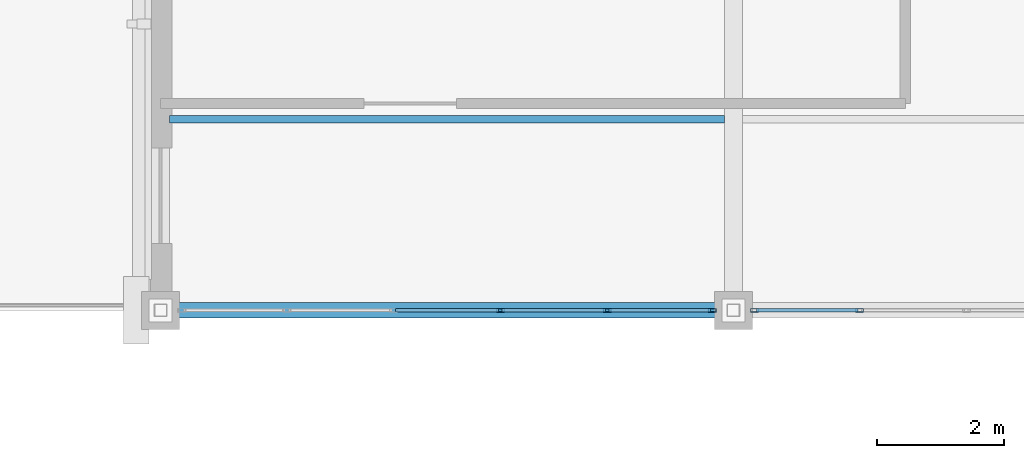
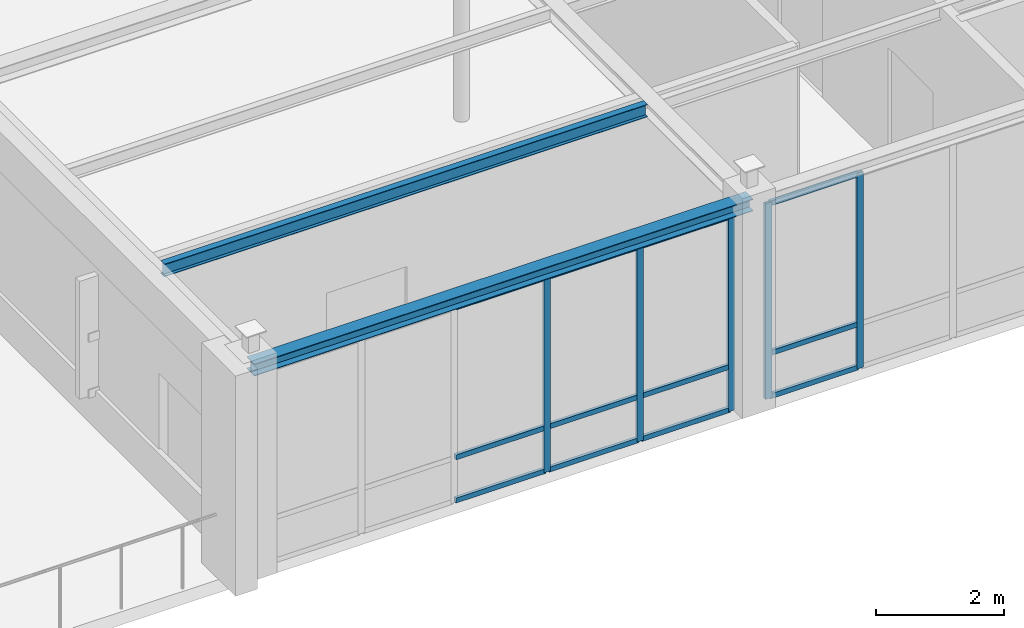
# One storey, part 60 of 97: 17 members, 2 beams, 2 elements without a shape of their own.
"""IFC4 building model written with IfcOpenShell, lengths in metres."""

from ifc_helpers import new_model, si_unit, direction, frame, origin, origin_2d, place, context, subcontext, project, spatial, hollow_rectangle, i_section, extrude, material, material_profile, profile_set, type_object, element, aggregate, save


model = new_model("IFC4")

# Units and contexts
model_context = context("Model", 3, precision=1e-05, world=origin(), true_north=direction((0.0, 1.0)))
body_context = subcontext(model_context, "Body", "Model", "MODEL_VIEW")
ifc_project = project(units=[si_unit("LENGTHUNIT", "METRE"), si_unit("AREAUNIT", "SQUARE_METRE"), si_unit("VOLUMEUNIT", "CUBIC_METRE"), si_unit("PLANEANGLEUNIT", "RADIAN"), si_unit("MASSUNIT", "GRAM", prefix="KILO")], contexts=[model_context])

# Site, building, storey
site_placement = place(None, origin())
site = spatial("IfcSite", under=ifc_project, at=site_placement, CompositionType="ELEMENT")
building_placement = place(site_placement, origin())
building = spatial("IfcBuilding", under=site, at=building_placement, Name="Lykobir Media Centre", CompositionType="ELEMENT")
storey_placement = place(building_placement, frame((0.0, 0.0, 23.39990234375)))
storey = spatial("IfcBuildingStorey", under=building, at=storey_placement, Name="L05", CompositionType="ELEMENT", Elevation=23.39990234375)

# Curtain wall, members
ifc_material_1 = material(Name="Anodized Aluminium AW-6060", Category="aluminium")
curtain_wall_type = type_object("IfcCurtainWallType", Name="CW-COURT-B", PredefinedType="NOTDEFINED", material=ifc_material_1)
curtain_wall_1_placement = place(storey_placement, origin())
curtain_wall_1 = element("IfcCurtainWall", 1, at=curtain_wall_1_placement, inside=storey, type_object=curtain_wall_type, Name="Curtain wall CW2-L05-0204", PredefinedType="NOTDEFINED")
ifc_material_profile_1 = material_profile(ifc_material_1, hollow_rectangle(XDim=0.054931640625, YDim=0.1201171875, WallThickness=0.003173828125, at=origin_2d()), Name="ALU MULLION 55x120")
ifc_profile_set_1 = profile_set([ifc_material_profile_1], Name="Anodized Aluminium AW-6060")
member_type_1 = type_object("IfcMemberType", Name="CWM-120", PredefinedType="MULLION", material=ifc_profile_set_1)
member_1_placement = place(storey_placement, frame((116.66748046875, 72.0, 0.0), z_axis=(0.0, 0.0, 1.0), x_axis=(0.0, -1.0, 0.0)))
member_1 = element("IfcMember", 2, at=member_1_placement, type_object=member_type_1, Name="CW2-L05-0204 mullion 1", PredefinedType="MULLION", context=body_context, shape_type="SweptSolid", body=[
    extrude(hollow_rectangle(XDim=0.054931640625, YDim=0.1201171875, WallThickness=0.003173828125, at=origin_2d()), origin(), (0.0, 0.0, 1.0), 3.735107421875),
])
member_2_placement = place(storey_placement, frame((115.01708984375, 72.0, 0.0), z_axis=(0.0, 0.0, 1.0), x_axis=(0.0, -1.0, 0.0)))
member_2 = element("IfcMember", 3, at=member_2_placement, type_object=member_type_1, Name="CW2-L05-0204 mullion 2", PredefinedType="MULLION", context=body_context, shape_type="SweptSolid", body=[
    extrude(hollow_rectangle(XDim=0.054931640625, YDim=0.1201171875, WallThickness=0.003173828125, at=origin_2d()), origin(), (0.0, 0.0, 1.0), 3.735107421875),
])
member_3_placement = place(storey_placement, frame((113.339111328125, 72.0, 0.0), z_axis=(0.0, 0.0, 1.0), x_axis=(0.0, -1.0, 0.0)))
member_3 = element("IfcMember", 4, at=member_3_placement, type_object=member_type_1, Name="CW2-L05-0204 mullion 3", PredefinedType="MULLION", context=body_context, shape_type="SweptSolid", body=[
    extrude(hollow_rectangle(XDim=0.054931640625, YDim=0.1201171875, WallThickness=0.003173828125, at=origin_2d()), origin(), (0.0, 0.0, 1.0), 3.735107421875),
])

curtain_wall_2_placement = place(storey_placement, origin())
curtain_wall_2 = element("IfcCurtainWall", 5, at=curtain_wall_2_placement, inside=storey, type_object=curtain_wall_type, Name="Curtain wall CW2-L05-0205", PredefinedType="NOTDEFINED")
member_4_placement = place(storey_placement, frame((118.98291015625, 72.0, 0.0), z_axis=(0.0, 0.0, 1.0), x_axis=(0.0, -1.0, 0.0)))
member_4 = element("IfcMember", 6, at=member_4_placement, type_object=member_type_1, Name="CW2-L05-0205 mullion 5", PredefinedType="MULLION", context=body_context, shape_type="SweptSolid", body=[
    extrude(hollow_rectangle(XDim=0.054931640625, YDim=0.1201171875, WallThickness=0.003173828125, at=origin_2d()), origin(), (0.0, 0.0, 1.0), 3.735107421875),
])
member_5_placement = place(storey_placement, frame((117.33251953125, 72.0, 0.0), z_axis=(0.0, 0.0, 1.0), x_axis=(0.0, -1.0, 0.0)))
member_5 = element("IfcMember", 7, at=member_5_placement, type_object=member_type_1, Name="CW2-L05-0205 mullion 6", PredefinedType="MULLION", context=body_context, shape_type="SweptSolid", body=[
    extrude(hollow_rectangle(XDim=0.054931640625, YDim=0.1201171875, WallThickness=0.003173828125, at=origin_2d()), origin(), (0.0, 0.0, 1.0), 3.735107421875),
])

# Member
ifc_material_profile_2 = material_profile(ifc_material_1, hollow_rectangle(XDim=0.054931640625, YDim=0.094970703125, WallThickness=0.0029296875, at=origin_2d()), Name="ALU TRANSOM 55x95")
ifc_profile_set_2 = profile_set([ifc_material_profile_2], Name="Anodized Aluminium AW-6060")
member_type_2 = type_object("IfcMemberType", Name="CWT-095", PredefinedType="USERDEFINED", material=ifc_profile_set_2)
member_6_placement = place(storey_placement, frame((116.639892578125, 72.0, 0.027587890625), z_axis=(-1.0, 0.0, 0.0), x_axis=(0.0, -1.0, 0.0)))
member_6 = element("IfcMember", 8, at=member_6_placement, type_object=member_type_2, Name="CW2-L05-0204 transom 1.1", ObjectType="TRANSOM", PredefinedType="USERDEFINED", context=body_context, shape_type="SweptSolid", body=[
    extrude(hollow_rectangle(XDim=0.054931640625, YDim=0.094970703125, WallThickness=0.0029296875, at=origin_2d()), origin(), (0.0, 0.0, 1.0), 1.595458984375),
])

member_7_placement = place(storey_placement, frame((116.639892578125, 72.0, 0.85009765625), z_axis=(-1.0, 0.0, 0.0), x_axis=(0.0, -1.0, 0.0)))
member_7 = element("IfcMember", 9, at=member_7_placement, type_object=member_type_2, Name="CW2-L05-0204 transom 1.2", ObjectType="TRANSOM", PredefinedType="USERDEFINED", context=body_context, shape_type="SweptSolid", body=[
    extrude(hollow_rectangle(XDim=0.054931640625, YDim=0.094970703125, WallThickness=0.0029296875, at=origin_2d()), origin(), (0.0, 0.0, 1.0), 1.595458984375),
])

member_8_placement = place(storey_placement, frame((116.639892578125, 72.0, 3.70751953125), z_axis=(-1.0, 0.0, 0.0), x_axis=(0.0, -1.0, 0.0)))
member_8 = element("IfcMember", 10, at=member_8_placement, type_object=member_type_2, Name="CW2-L05-0204 transom 1.3", ObjectType="TRANSOM", PredefinedType="USERDEFINED", context=body_context, shape_type="SweptSolid", body=[
    extrude(hollow_rectangle(XDim=0.054931640625, YDim=0.094970703125, WallThickness=0.0029296875, at=origin_2d()), origin(), (0.0, 0.0, 1.0), 1.595458984375),
])

member_9_placement = place(storey_placement, frame((114.989501953125, 72.0, 0.027587890625), z_axis=(-1.0, 0.0, 0.0), x_axis=(0.0, -1.0, 0.0)))
member_9 = element("IfcMember", 11, at=member_9_placement, type_object=member_type_2, Name="CW2-L05-0204 transom 2.1", ObjectType="TRANSOM", PredefinedType="USERDEFINED", context=body_context, shape_type="SweptSolid", body=[
    extrude(hollow_rectangle(XDim=0.054931640625, YDim=0.094970703125, WallThickness=0.0029296875, at=origin_2d()), origin(), (0.0, 0.0, 1.0), 1.623046875),
])

member_10_placement = place(storey_placement, frame((114.989501953125, 72.0, 0.85009765625), z_axis=(-1.0, 0.0, 0.0), x_axis=(0.0, -1.0, 0.0)))
member_10 = element("IfcMember", 12, at=member_10_placement, type_object=member_type_2, Name="CW2-L05-0204 transom 2.2", ObjectType="TRANSOM", PredefinedType="USERDEFINED", context=body_context, shape_type="SweptSolid", body=[
    extrude(hollow_rectangle(XDim=0.054931640625, YDim=0.094970703125, WallThickness=0.0029296875, at=origin_2d()), origin(), (0.0, 0.0, 1.0), 1.623046875),
])

member_11_placement = place(storey_placement, frame((114.989501953125, 72.0, 3.70751953125), z_axis=(-1.0, 0.0, 0.0), x_axis=(0.0, -1.0, 0.0)))
member_11 = element("IfcMember", 13, at=member_11_placement, type_object=member_type_2, Name="CW2-L05-0204 transom 2.3", ObjectType="TRANSOM", PredefinedType="USERDEFINED", context=body_context, shape_type="SweptSolid", body=[
    extrude(hollow_rectangle(XDim=0.054931640625, YDim=0.094970703125, WallThickness=0.0029296875, at=origin_2d()), origin(), (0.0, 0.0, 1.0), 1.623046875),
])

member_12_placement = place(storey_placement, frame((113.3115234375, 72.0, 0.027587890625), z_axis=(-1.0, 0.0, 0.0), x_axis=(0.0, -1.0, 0.0)))
member_12 = element("IfcMember", 14, at=member_12_placement, type_object=member_type_2, Name="CW2-L05-0204 transom 3.1", ObjectType="TRANSOM", PredefinedType="USERDEFINED", context=body_context, shape_type="SweptSolid", body=[
    extrude(hollow_rectangle(XDim=0.054931640625, YDim=0.094970703125, WallThickness=0.0029296875, at=origin_2d()), origin(), (0.0, 0.0, 1.0), 1.623046875),
])

member_13_placement = place(storey_placement, frame((113.3115234375, 72.0, 0.85009765625), z_axis=(-1.0, 0.0, 0.0), x_axis=(0.0, -1.0, 0.0)))
member_13 = element("IfcMember", 15, at=member_13_placement, type_object=member_type_2, Name="CW2-L05-0204 transom 3.2", ObjectType="TRANSOM", PredefinedType="USERDEFINED", context=body_context, shape_type="SweptSolid", body=[
    extrude(hollow_rectangle(XDim=0.054931640625, YDim=0.094970703125, WallThickness=0.0029296875, at=origin_2d()), origin(), (0.0, 0.0, 1.0), 1.623046875),
])

member_14_placement = place(storey_placement, frame((113.3115234375, 72.0, 3.70751953125), z_axis=(-1.0, 0.0, 0.0), x_axis=(0.0, -1.0, 0.0)))
member_14 = element("IfcMember", 16, at=member_14_placement, type_object=member_type_2, Name="CW2-L05-0204 transom 3.3", ObjectType="TRANSOM", PredefinedType="USERDEFINED", context=body_context, shape_type="SweptSolid", body=[
    extrude(hollow_rectangle(XDim=0.054931640625, YDim=0.094970703125, WallThickness=0.0029296875, at=origin_2d()), origin(), (0.0, 0.0, 1.0), 1.623046875),
])

aggregate(curtain_wall_1, [member_1, member_2, member_3, member_6, member_7, member_8, member_9, member_10, member_11, member_12, member_13, member_14])

member_15_placement = place(storey_placement, frame((118.95556640625, 72.0, 0.027587890625), z_axis=(-1.0, 0.0, 0.0), x_axis=(0.0, -1.0, 0.0)))
member_15 = element("IfcMember", 17, at=member_15_placement, type_object=member_type_2, Name="CW2-L05-0205 transom 5.1", ObjectType="TRANSOM", PredefinedType="USERDEFINED", context=body_context, shape_type="SweptSolid", body=[
    extrude(hollow_rectangle(XDim=0.054931640625, YDim=0.094970703125, WallThickness=0.0029296875, at=origin_2d()), origin(), (0.0, 0.0, 1.0), 1.595458984375),
])

member_16_placement = place(storey_placement, frame((118.95556640625, 72.0, 0.85009765625), z_axis=(-1.0, 0.0, 0.0), x_axis=(0.0, -1.0, 0.0)))
member_16 = element("IfcMember", 18, at=member_16_placement, type_object=member_type_2, Name="CW2-L05-0205 transom 5.2", ObjectType="TRANSOM", PredefinedType="USERDEFINED", context=body_context, shape_type="SweptSolid", body=[
    extrude(hollow_rectangle(XDim=0.054931640625, YDim=0.094970703125, WallThickness=0.0029296875, at=origin_2d()), origin(), (0.0, 0.0, 1.0), 1.595458984375),
])

member_17_placement = place(storey_placement, frame((118.95556640625, 72.0, 3.70751953125), z_axis=(-1.0, 0.0, 0.0), x_axis=(0.0, -1.0, 0.0)))
member_17 = element("IfcMember", 19, at=member_17_placement, type_object=member_type_2, Name="CW2-L05-0205 transom 5.3", ObjectType="TRANSOM", PredefinedType="USERDEFINED", context=body_context, shape_type="SweptSolid", body=[
    extrude(hollow_rectangle(XDim=0.054931640625, YDim=0.094970703125, WallThickness=0.0029296875, at=origin_2d()), origin(), (0.0, 0.0, 1.0), 1.595458984375),
])

aggregate(curtain_wall_2, [member_4, member_5, member_15, member_16, member_17])

# Beams
ifc_material_2 = material(Name="Steel S355", Category="steel")
ifc_material_profile_3 = material_profile(ifc_material_2, i_section(OverallWidth=0.1201171875, OverallDepth=0.239990234375, WebThickness=0.006103515625, FlangeThickness=0.009765625, at=origin_2d()), Name="IPE 240")
ifc_profile_set_3 = profile_set([ifc_material_profile_3], Name="Steel S355")
beam_type_1 = type_object("IfcBeamType", Name="JS-IPE240", PredefinedType="JOIST", material=ifc_profile_set_3)
beam_1_placement = place(storey_placement, frame((108.139892578125, 75.0, 3.860107421875), z_axis=(1.0, 0.0, 0.0), x_axis=(0.0, 1.0, 0.0)))
element("IfcBeam", 20, at=beam_1_placement, inside=storey, type_object=beam_type_1, Name="Beam BM-L05-1081-0750-1169-0750-2726", PredefinedType="JOIST", context=body_context, shape_type="SweptSolid", body=[
    extrude(i_section(OverallWidth=0.1201171875, OverallDepth=0.239990234375, WebThickness=0.006103515625, FlangeThickness=0.009765625, at=origin_2d()), origin(), (0.0, 0.0, 1.0), 8.72021484375),
])
ifc_material_profile_4 = material_profile(ifc_material_2, i_section(OverallWidth=0.239990234375, OverallDepth=0.22998046875, WebThickness=0.007568359375, FlangeThickness=0.011962890625, at=origin_2d()), Name="HEA 240")
ifc_profile_set_4 = profile_set([ifc_material_profile_4], Name="Steel S355")
beam_type_2 = type_object("IfcBeamType", Name="SP-HEA240", PredefinedType="SPANDREL", material=ifc_profile_set_4)
beam_2_placement = place(storey_placement, frame((108.0, 72.0, 3.864990234375), z_axis=(1.0, 0.0, 0.0), x_axis=(0.0, 1.0, 0.0)))
element("IfcBeam", 21, at=beam_2_placement, inside=storey, type_object=beam_type_2, Name="Beam BM-L05-1080-0720-1170-0720-2726", PredefinedType="SPANDREL", context=body_context, shape_type="SweptSolid", body=[
    extrude(i_section(OverallWidth=0.239990234375, OverallDepth=0.22998046875, WebThickness=0.007568359375, FlangeThickness=0.011962890625, at=origin_2d()), origin(), (0.0, 0.0, 1.0), 9.0),
])

save(model, "model.ifc")
